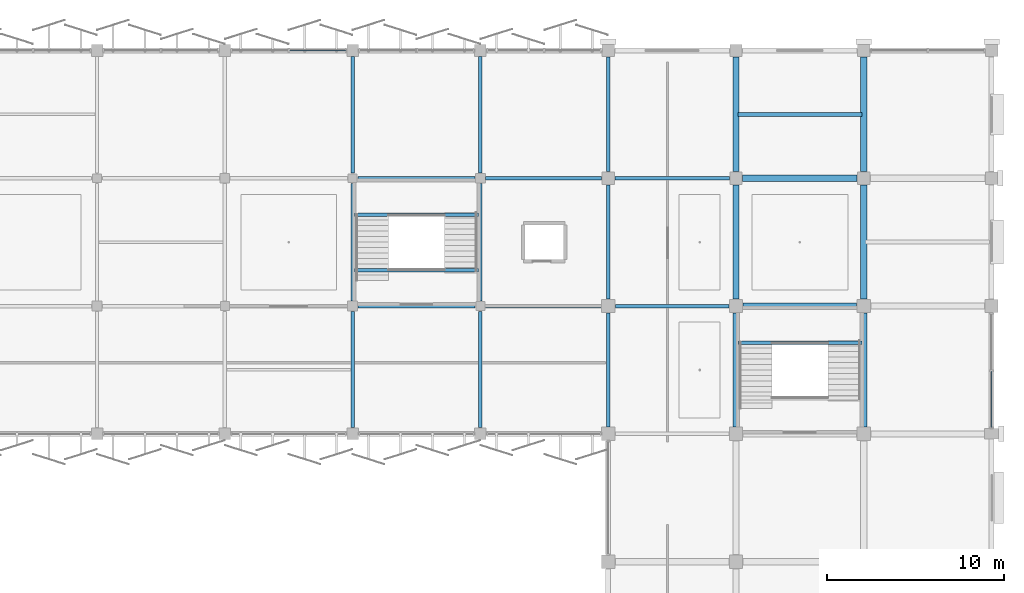
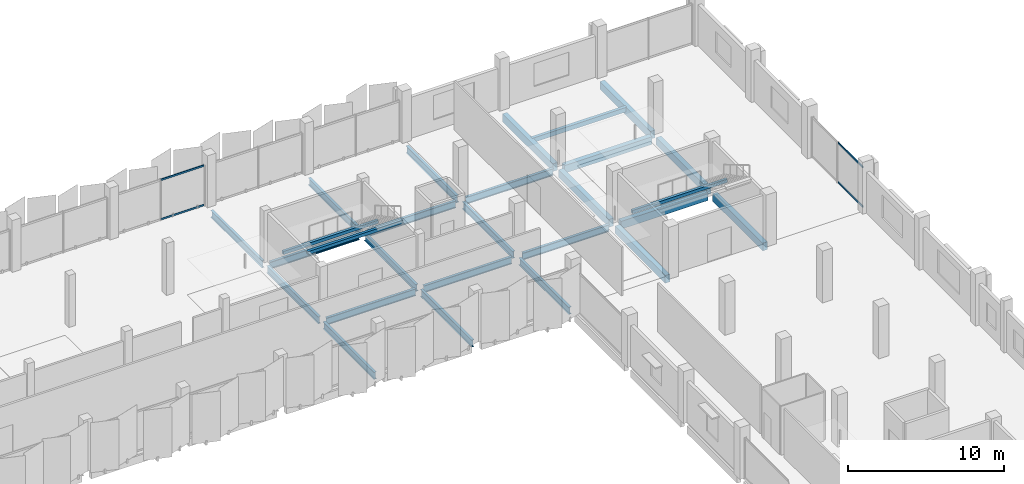
# One storey, part 59 of 108: 27 beams, 4 members, 2 elements without a shape of their own.
"""IFC4 building model written with IfcOpenShell, lengths in metres."""

from ifc_helpers import new_model, si_unit, direction, frame, origin, origin_2d, place, context, subcontext, project, spatial, rectangle, hollow_rectangle, i_section, extrude, material, layer, layer_set, material_profile, profile_set, type_object, element, aggregate, save


model = new_model("IFC4")

# Units and contexts
model_context = context("Model", 3, precision=1e-05, world=origin(), true_north=direction((0.0, 1.0)))
body_context = subcontext(model_context, "Body", "Model", "MODEL_VIEW")
ifc_project = project(units=[si_unit("LENGTHUNIT", "METRE"), si_unit("AREAUNIT", "SQUARE_METRE"), si_unit("VOLUMEUNIT", "CUBIC_METRE"), si_unit("PLANEANGLEUNIT", "RADIAN"), si_unit("MASSUNIT", "GRAM", prefix="KILO")], contexts=[model_context])

# Site, building, storey
site_placement = place(None, origin())
site = spatial("IfcSite", under=ifc_project, at=site_placement, CompositionType="ELEMENT")
building_placement = place(site_placement, origin())
building = spatial("IfcBuilding", under=site, at=building_placement, Name="Kangsadwip Square Police Headquarters", CompositionType="ELEMENT")
storey_placement = place(building_placement, frame((0.0, 0.0, 9.449951171875)))
storey = spatial("IfcBuildingStorey", under=building, at=storey_placement, Name="L02", CompositionType="ELEMENT", Elevation=9.449951171875)

# Curtain wall, members
ifc_material_1 = material(Name="Thermally broken anodised aluminium AW-6063-T6", Category="aluminium")
ifc_layer_1 = layer(ifc_material_1, 0.159912109375)
ifc_layer_set_1 = layer_set([ifc_layer_1], Name="Thermally broken anodised aluminium AW-6063-T6")
curtain_wall_type_1 = type_object("IfcCurtainWallType", Name="UnitisedCw6560x3200", PredefinedType="NOTDEFINED", material=ifc_layer_set_1)
curtain_wall_1_placement = place(storey_placement, origin())
curtain_wall_1 = element("IfcCurtainWall", 1, at=curtain_wall_1_placement, inside=storey, type_object=curtain_wall_type_1, Name="Curtain Wall CW-L02-1227-1152", PredefinedType="NOTDEFINED")
ifc_material_2 = material(Name="Thermally broken anodised aluminium AW-6063-T6", Category="aluminium")
ifc_material_profile_1 = material_profile(ifc_material_2, hollow_rectangle(XDim=0.06494140625, YDim=0.1298828125, WallThickness=0.00390625, at=origin_2d()), Name="CWT 130X65X4")
ifc_profile_set_1 = profile_set([ifc_material_profile_1], Name="Thermally broken anodised aluminium AW-6063-T6")
member_type = type_object("IfcMemberType", Name="CwTransom140x60", PredefinedType="USERDEFINED", material=ifc_profile_set_1)
member_1_placement = place(storey_placement, frame((126.032470703125, 115.199951171875, 0.06494140625), z_axis=(1.0, 0.0, 0.0), x_axis=(0.0, 1.0, 0.0)))
member_1 = element("IfcMember", 2, at=member_1_placement, type_object=member_type, Name="CW-20 transom 2.1", ObjectType="TRANSOM", PredefinedType="USERDEFINED", context=body_context, shape_type="SweptSolid", body=[
    extrude(hollow_rectangle(XDim=0.06494140625, YDim=0.1298828125, WallThickness=0.00390625, at=origin_2d()), origin(), (0.0, 0.0, 1.0), 3.1826171875),
])
member_2_placement = place(storey_placement, frame((126.032470703125, 115.199951171875, 3.135009765625), z_axis=(1.0, 0.0, 0.0), x_axis=(0.0, 1.0, 0.0)))
member_2 = element("IfcMember", 3, at=member_2_placement, type_object=member_type, Name="CW-20 transom 2.2", ObjectType="TRANSOM", PredefinedType="USERDEFINED", context=body_context, shape_type="SweptSolid", body=[
    extrude(hollow_rectangle(XDim=0.06494140625, YDim=0.1298828125, WallThickness=0.00390625, at=origin_2d()), origin(), (0.0, 0.0, 1.0), 3.1826171875),
])
aggregate(curtain_wall_1, [member_1, member_2])

ifc_material_3 = material(Name="Thermally broken anodised aluminium AW-6063-T6", Category="aluminium")
ifc_layer_2 = layer(ifc_material_3, 0.159912109375)
ifc_layer_set_2 = layer_set([ifc_layer_2], Name="Thermally broken anodised aluminium AW-6063-T6")
curtain_wall_type_2 = type_object("IfcCurtainWallType", Name="UnitisedCw6535x3200", PredefinedType="NOTDEFINED", material=ifc_layer_set_2)
curtain_wall_2_placement = place(storey_placement, origin())
curtain_wall_2 = element("IfcCurtainWall", 4, at=curtain_wall_2_placement, inside=storey, type_object=curtain_wall_type_2, Name="Curtain Wall CW-L02-1656-0939", PredefinedType="NOTDEFINED")
member_3_placement = place(storey_placement, frame((165.60009765625, 93.9599609375, 0.06494140625), z_axis=(0.0, 1.0, 0.0), x_axis=(-1.0, 0.0, 0.0)))
member_3 = element("IfcMember", 5, at=member_3_placement, type_object=member_type, Name="CW-34 transom 1.1", ObjectType="TRANSOM", PredefinedType="USERDEFINED", context=body_context, shape_type="SweptSolid", body=[
    extrude(hollow_rectangle(XDim=0.06494140625, YDim=0.1298828125, WallThickness=0.00390625, at=origin_2d()), origin(), (0.0, 0.0, 1.0), 3.169921875),
])
member_4_placement = place(storey_placement, frame((165.60009765625, 93.9599609375, 3.135009765625), z_axis=(0.0, 1.0, 0.0), x_axis=(-1.0, 0.0, 0.0)))
member_4 = element("IfcMember", 6, at=member_4_placement, type_object=member_type, Name="CW-34 transom 1.2", ObjectType="TRANSOM", PredefinedType="USERDEFINED", context=body_context, shape_type="SweptSolid", body=[
    extrude(hollow_rectangle(XDim=0.06494140625, YDim=0.1298828125, WallThickness=0.00390625, at=origin_2d()), origin(), (0.0, 0.0, 1.0), 3.169921875),
])
aggregate(curtain_wall_2, [member_3, member_4])

# Beams
ifc_material_4 = material(Name="Concrete M35 (35 MPa)", Category="concrete")
ifc_material_profile_2 = material_profile(ifc_material_4, rectangle(XDim=0.35009765625, YDim=0.60009765625, at=origin_2d()), Name="RC BM 600X350")
ifc_profile_set_2 = profile_set([ifc_material_profile_2], Name="Concrete M35 (35 MPa)")
beam_type_1 = type_object("IfcBeamType", Name="RcBeam600x350", PredefinedType="BEAM", material=ifc_profile_set_2)
beam_1_placement = place(storey_placement, frame((151.60009765625, 100.800048828125, -0.5400390625), z_axis=(1.0, 0.0, 0.0), x_axis=(0.0, 1.0, 0.0)))
element("IfcBeam", 7, at=beam_1_placement, inside=storey, type_object=beam_type_1, Name="Beam BM-L02-X-21-14", PredefinedType="BEAM", context=body_context, shape_type="SweptSolid", body=[
    extrude(rectangle(XDim=0.35009765625, YDim=0.60009765625, at=origin_2d()), origin(), (0.0, 0.0, 1.0), 6.39990234375),
])
beam_2_placement = place(storey_placement, frame((151.574951171875, 108.0, -0.5400390625), z_axis=(1.0, 0.0, 0.0), x_axis=(0.0, 1.0, 0.0)))
element("IfcBeam", 8, at=beam_2_placement, inside=storey, type_object=beam_type_1, Name="Beam BM-L02-X-21-15", PredefinedType="BEAM", context=body_context, shape_type="SweptSolid", body=[
    extrude(rectangle(XDim=0.35009765625, YDim=0.60009765625, at=origin_2d()), origin(), (0.0, 0.0, 1.0), 6.449951171875),
])
beam_3_placement = place(storey_placement, frame((151.199951171875, 94.0, -0.5400390625), z_axis=(0.0, 1.0, 0.0), x_axis=(-1.0, 0.0, 0.0)))
element("IfcBeam", 9, at=beam_3_placement, inside=storey, type_object=beam_type_1, Name="Beam BM-L02-Y-21-13", PredefinedType="BEAM", context=body_context, shape_type="SweptSolid", body=[
    extrude(rectangle(XDim=0.35009765625, YDim=0.60009765625, at=origin_2d()), origin(), (0.0, 0.0, 1.0), 6.39990234375),
])
beam_4_placement = place(storey_placement, frame((151.199951171875, 101.199951171875, -0.5400390625), z_axis=(0.0, 1.0, 0.0), x_axis=(-1.0, 0.0, 0.0)))
element("IfcBeam", 10, at=beam_4_placement, inside=storey, type_object=beam_type_1, Name="Beam BM-L02-Y-21-14", PredefinedType="BEAM", context=body_context, shape_type="SweptSolid", body=[
    extrude(rectangle(XDim=0.35009765625, YDim=0.60009765625, at=origin_2d()), origin(), (0.0, 0.0, 1.0), 6.425048828125),
])
beam_5_placement = place(storey_placement, frame((151.199951171875, 108.375, -0.5400390625), z_axis=(0.0, 1.0, 0.0), x_axis=(-1.0, 0.0, 0.0)))
element("IfcBeam", 11, at=beam_5_placement, inside=storey, type_object=beam_type_1, Name="Beam BM-L02-Y-21-15", PredefinedType="BEAM", context=body_context, shape_type="SweptSolid", body=[
    extrude(rectangle(XDim=0.35009765625, YDim=0.60009765625, at=origin_2d()), origin(), (0.0, 0.0, 1.0), 6.449951171875),
])
beam_6_placement = place(storey_placement, frame((158.39990234375, 94.0, -0.5400390625), z_axis=(0.0, 1.0, 0.0), x_axis=(-1.0, 0.0, 0.0)))
element("IfcBeam", 12, at=beam_6_placement, inside=storey, type_object=beam_type_1, Name="Beam BM-L02-Y-22-13", PredefinedType="BEAM", context=body_context, shape_type="SweptSolid", body=[
    extrude(rectangle(XDim=0.35009765625, YDim=0.60009765625, at=origin_2d()), origin(), (0.0, 0.0, 1.0), 6.39990234375),
])
beam_7_placement = place(storey_placement, frame((158.39990234375, 101.199951171875, -0.5400390625), z_axis=(0.0, 1.0, 0.0), x_axis=(-1.0, 0.0, 0.0)))
element("IfcBeam", 13, at=beam_7_placement, inside=storey, type_object=beam_type_1, Name="Beam BM-L02-Y-22-14", PredefinedType="BEAM", context=body_context, shape_type="SweptSolid", body=[
    extrude(rectangle(XDim=0.35009765625, YDim=0.60009765625, at=origin_2d()), origin(), (0.0, 0.0, 1.0), 6.425048828125),
])
beam_8_placement = place(storey_placement, frame((158.39990234375, 108.375, -0.5400390625), z_axis=(0.0, 1.0, 0.0), x_axis=(-1.0, 0.0, 0.0)))
element("IfcBeam", 14, at=beam_8_placement, inside=storey, type_object=beam_type_1, Name="Beam BM-L02-Y-22-15", PredefinedType="BEAM", context=body_context, shape_type="SweptSolid", body=[
    extrude(rectangle(XDim=0.35009765625, YDim=0.60009765625, at=origin_2d()), origin(), (0.0, 0.0, 1.0), 6.449951171875),
])
ifc_material_5 = material(Name="Concrete M35 (35 MPa)", Category="concrete")
ifc_material_profile_3 = material_profile(ifc_material_5, rectangle(XDim=0.22998046875, YDim=0.35009765625, at=origin_2d()), Name="RC JST 350X230")
ifc_profile_set_3 = profile_set([ifc_material_profile_3], Name="Concrete M35 (35 MPa)")
beam_type_2 = type_object("IfcBeamType", Name="RcJoist350x230", PredefinedType="JOIST", material=ifc_profile_set_3)
beam_9_placement = place(storey_placement, frame((151.31005859375, 111.60009765625, -0.4150390625), z_axis=(1.0, 0.0, 0.0), x_axis=(0.0, 1.0, 0.0)))
element("IfcBeam", 15, at=beam_9_placement, inside=storey, type_object=beam_type_2, Name="Secondary Joist JST-L02-21-15", PredefinedType="JOIST", context=body_context, shape_type="SweptSolid", body=[
    extrude(rectangle(XDim=0.22998046875, YDim=0.35009765625, at=origin_2d()), origin(), (0.0, 0.0, 1.0), 6.97998046875),
])
ifc_material_6 = material(Name="Concrete M30 (30 MPa)", Category="concrete")
ifc_material_profile_4 = material_profile(ifc_material_6, rectangle(XDim=0.199951171875, YDim=0.25, at=origin_2d()), Name="RC LNT 250X200")
ifc_profile_set_4 = profile_set([ifc_material_profile_4], Name="Concrete M30 (30 MPa)")
beam_type_3 = type_object("IfcBeamType", Name="RcLintel250x200", PredefinedType="LINTEL", material=ifc_profile_set_4)
for number, where, z_axis, x_axis, name in (
    (16, (151.300048828125, 98.739990234375, 1.801025390625), (1.0, 0.0, 0.0), (0.0, 1.0, 0.0), "Stair Carriage and Landing Beam BM-ST-L02-063"),
    (17, (129.699951171875, 105.93994140625, 1.801025390625), (1.0, 0.0, 0.0), (0.0, 1.0, 0.0), "Stair Carriage and Landing Beam BM-ST-L02-074"),
    (18, (129.699951171875, 102.820068359375, 3.68505859375), (1.0, 0.0, 0.0), (0.0, 1.0, 0.0), "Stair Carriage and Landing Beam BM-ST-L02-075"),
):
    element("IfcBeam", number, at=place(storey_placement, frame(where, z_axis=z_axis, x_axis=x_axis)), inside=storey, type_object=beam_type_3, Name=name, PredefinedType="BEAM", context=body_context, shape_type="SweptSolid", body=[
        extrude(rectangle(XDim=0.199951171875, YDim=0.25, at=origin_2d()), origin(), (0.0, 0.0, 1.0), 7.0),
    ])
ifc_material_7 = material(Name="Structural steel IS 2062 E350 (Grade 350, 350 MPa)", Category="steel")
ifc_material_profile_5 = material_profile(ifc_material_7, i_section(OverallWidth=0.18994140625, OverallDepth=0.550048828125, WebThickness=0.01123046875, FlangeThickness=0.019287109375, at=origin_2d()), Name="ISMB 550")
ifc_profile_set_5 = profile_set([ifc_material_profile_5], Name="Structural steel IS 2062 E350 (Grade 350, 350 MPa)")
beam_type_4 = type_object("IfcBeamType", Name="SteelBeamIsmb550", PredefinedType="BEAM", material=ifc_profile_set_5)
beam_10_placement = place(storey_placement, frame((129.89990234375, 100.800048828125, -0.514892578125), z_axis=(1.0, 0.0, 0.0), x_axis=(0.0, 1.0, 0.0)))
element("IfcBeam", 19, at=beam_10_placement, inside=storey, type_object=beam_type_4, Name="Beam BM-L02-X-18-14", PredefinedType="BEAM", context=body_context, shape_type="SweptSolid", body=[
    extrude(i_section(OverallWidth=0.18994140625, OverallDepth=0.550048828125, WebThickness=0.01123046875, FlangeThickness=0.019287109375, at=origin_2d()), origin(), (0.0, 0.0, 1.0), 6.60009765625),
])
beam_11_placement = place(storey_placement, frame((137.10009765625, 100.800048828125, -0.514892578125), z_axis=(1.0, 0.0, 0.0), x_axis=(0.0, 1.0, 0.0)))
element("IfcBeam", 20, at=beam_11_placement, inside=storey, type_object=beam_type_4, Name="Beam BM-L02-X-19-14", PredefinedType="BEAM", context=body_context, shape_type="SweptSolid", body=[
    extrude(i_section(OverallWidth=0.18994140625, OverallDepth=0.550048828125, WebThickness=0.01123046875, FlangeThickness=0.019287109375, at=origin_2d()), origin(), (0.0, 0.0, 1.0), 6.5),
])
beam_12_placement = place(storey_placement, frame((144.39990234375, 100.800048828125, -0.514892578125), z_axis=(1.0, 0.0, 0.0), x_axis=(0.0, 1.0, 0.0)))
element("IfcBeam", 21, at=beam_12_placement, inside=storey, type_object=beam_type_4, Name="Beam BM-L02-X-20-14", PredefinedType="BEAM", context=body_context, shape_type="SweptSolid", body=[
    extrude(i_section(OverallWidth=0.18994140625, OverallDepth=0.550048828125, WebThickness=0.01123046875, FlangeThickness=0.019287109375, at=origin_2d()), origin(), (0.0, 0.0, 1.0), 6.400146484375),
])
beam_13_placement = place(storey_placement, frame((129.89990234375, 108.0, -0.514892578125), z_axis=(1.0, 0.0, 0.0), x_axis=(0.0, 1.0, 0.0)))
element("IfcBeam", 22, at=beam_13_placement, inside=storey, type_object=beam_type_4, Name="Beam BM-L02-X-18-15", PredefinedType="BEAM", context=body_context, shape_type="SweptSolid", body=[
    extrude(i_section(OverallWidth=0.18994140625, OverallDepth=0.550048828125, WebThickness=0.01123046875, FlangeThickness=0.019287109375, at=origin_2d()), origin(), (0.0, 0.0, 1.0), 6.60009765625),
])
beam_14_placement = place(storey_placement, frame((137.10009765625, 108.0, -0.514892578125), z_axis=(1.0, 0.0, 0.0), x_axis=(0.0, 1.0, 0.0)))
element("IfcBeam", 23, at=beam_14_placement, inside=storey, type_object=beam_type_4, Name="Beam BM-L02-X-19-15", PredefinedType="BEAM", context=body_context, shape_type="SweptSolid", body=[
    extrude(i_section(OverallWidth=0.18994140625, OverallDepth=0.550048828125, WebThickness=0.01123046875, FlangeThickness=0.019287109375, at=origin_2d()), origin(), (0.0, 0.0, 1.0), 6.52490234375),
])
beam_15_placement = place(storey_placement, frame((144.375, 108.0, -0.514892578125), z_axis=(1.0, 0.0, 0.0), x_axis=(0.0, 1.0, 0.0)))
element("IfcBeam", 24, at=beam_15_placement, inside=storey, type_object=beam_type_4, Name="Beam BM-L02-X-20-15", PredefinedType="BEAM", context=body_context, shape_type="SweptSolid", body=[
    extrude(i_section(OverallWidth=0.18994140625, OverallDepth=0.550048828125, WebThickness=0.01123046875, FlangeThickness=0.019287109375, at=origin_2d()), origin(), (0.0, 0.0, 1.0), 6.449951171875),
])
beam_16_placement = place(storey_placement, frame((129.60009765625, 93.949951171875, -0.514892578125), z_axis=(0.0, 1.0, 0.0), x_axis=(-1.0, 0.0, 0.0)))
element("IfcBeam", 25, at=beam_16_placement, inside=storey, type_object=beam_type_4, Name="Beam BM-L02-Y-18-13", PredefinedType="BEAM", context=body_context, shape_type="SweptSolid", body=[
    extrude(i_section(OverallWidth=0.18994140625, OverallDepth=0.550048828125, WebThickness=0.01123046875, FlangeThickness=0.019287109375, at=origin_2d()), origin(), (0.0, 0.0, 1.0), 6.550048828125),
])
beam_17_placement = place(storey_placement, frame((129.60009765625, 101.10009765625, -0.514892578125), z_axis=(0.0, 1.0, 0.0), x_axis=(-1.0, 0.0, 0.0)))
element("IfcBeam", 26, at=beam_17_placement, inside=storey, type_object=beam_type_4, Name="Beam BM-L02-Y-18-14", PredefinedType="BEAM", context=body_context, shape_type="SweptSolid", body=[
    extrude(i_section(OverallWidth=0.18994140625, OverallDepth=0.550048828125, WebThickness=0.01123046875, FlangeThickness=0.019287109375, at=origin_2d()), origin(), (0.0, 0.0, 1.0), 6.599853515625),
])
for number, where, z_axis, x_axis, name in (
    (27, (129.60009765625, 108.300048828125, -0.514892578125), (0.0, 1.0, 0.0), (-1.0, 0.0, 0.0), "Beam BM-L02-Y-18-15"),
    (28, (136.800048828125, 93.949951171875, -0.514892578125), (0.0, 1.0, 0.0), (-1.0, 0.0, 0.0), "Beam BM-L02-Y-19-13"),
):
    element("IfcBeam", number, at=place(storey_placement, frame(where, z_axis=z_axis, x_axis=x_axis)), inside=storey, type_object=beam_type_4, Name=name, PredefinedType="BEAM", context=body_context, shape_type="SweptSolid", body=[
        extrude(i_section(OverallWidth=0.18994140625, OverallDepth=0.550048828125, WebThickness=0.01123046875, FlangeThickness=0.019287109375, at=origin_2d()), origin(), (0.0, 0.0, 1.0), 6.550048828125),
    ])
beam_18_placement = place(storey_placement, frame((136.800048828125, 101.10009765625, -0.514892578125), z_axis=(0.0, 1.0, 0.0), x_axis=(-1.0, 0.0, 0.0)))
element("IfcBeam", 29, at=beam_18_placement, inside=storey, type_object=beam_type_4, Name="Beam BM-L02-Y-19-14", PredefinedType="BEAM", context=body_context, shape_type="SweptSolid", body=[
    extrude(i_section(OverallWidth=0.18994140625, OverallDepth=0.550048828125, WebThickness=0.01123046875, FlangeThickness=0.019287109375, at=origin_2d()), origin(), (0.0, 0.0, 1.0), 6.599853515625),
])
beam_19_placement = place(storey_placement, frame((136.800048828125, 108.300048828125, -0.514892578125), z_axis=(0.0, 1.0, 0.0), x_axis=(-1.0, 0.0, 0.0)))
element("IfcBeam", 30, at=beam_19_placement, inside=storey, type_object=beam_type_4, Name="Beam BM-L02-Y-19-15", PredefinedType="BEAM", context=body_context, shape_type="SweptSolid", body=[
    extrude(i_section(OverallWidth=0.18994140625, OverallDepth=0.550048828125, WebThickness=0.01123046875, FlangeThickness=0.019287109375, at=origin_2d()), origin(), (0.0, 0.0, 1.0), 6.550048828125),
])
beam_20_placement = place(storey_placement, frame((144.0, 94.0, -0.514892578125), z_axis=(0.0, 1.0, 0.0), x_axis=(-1.0, 0.0, 0.0)))
element("IfcBeam", 31, at=beam_20_placement, inside=storey, type_object=beam_type_4, Name="Beam BM-L02-Y-20-13", PredefinedType="BEAM", context=body_context, shape_type="SweptSolid", body=[
    extrude(i_section(OverallWidth=0.18994140625, OverallDepth=0.550048828125, WebThickness=0.01123046875, FlangeThickness=0.019287109375, at=origin_2d()), origin(), (0.0, 0.0, 1.0), 6.39990234375),
])
beam_21_placement = place(storey_placement, frame((144.0, 101.199951171875, -0.514892578125), z_axis=(0.0, 1.0, 0.0), x_axis=(-1.0, 0.0, 0.0)))
element("IfcBeam", 32, at=beam_21_placement, inside=storey, type_object=beam_type_4, Name="Beam BM-L02-Y-20-14", PredefinedType="BEAM", context=body_context, shape_type="SweptSolid", body=[
    extrude(i_section(OverallWidth=0.18994140625, OverallDepth=0.550048828125, WebThickness=0.01123046875, FlangeThickness=0.019287109375, at=origin_2d()), origin(), (0.0, 0.0, 1.0), 6.425048828125),
])
beam_22_placement = place(storey_placement, frame((144.0, 108.375, -0.514892578125), z_axis=(0.0, 1.0, 0.0), x_axis=(-1.0, 0.0, 0.0)))
element("IfcBeam", 33, at=beam_22_placement, inside=storey, type_object=beam_type_4, Name="Beam BM-L02-Y-20-15", PredefinedType="BEAM", context=body_context, shape_type="SweptSolid", body=[
    extrude(i_section(OverallWidth=0.18994140625, OverallDepth=0.550048828125, WebThickness=0.01123046875, FlangeThickness=0.019287109375, at=origin_2d()), origin(), (0.0, 0.0, 1.0), 6.449951171875),
])

save(model, "model.ifc")
